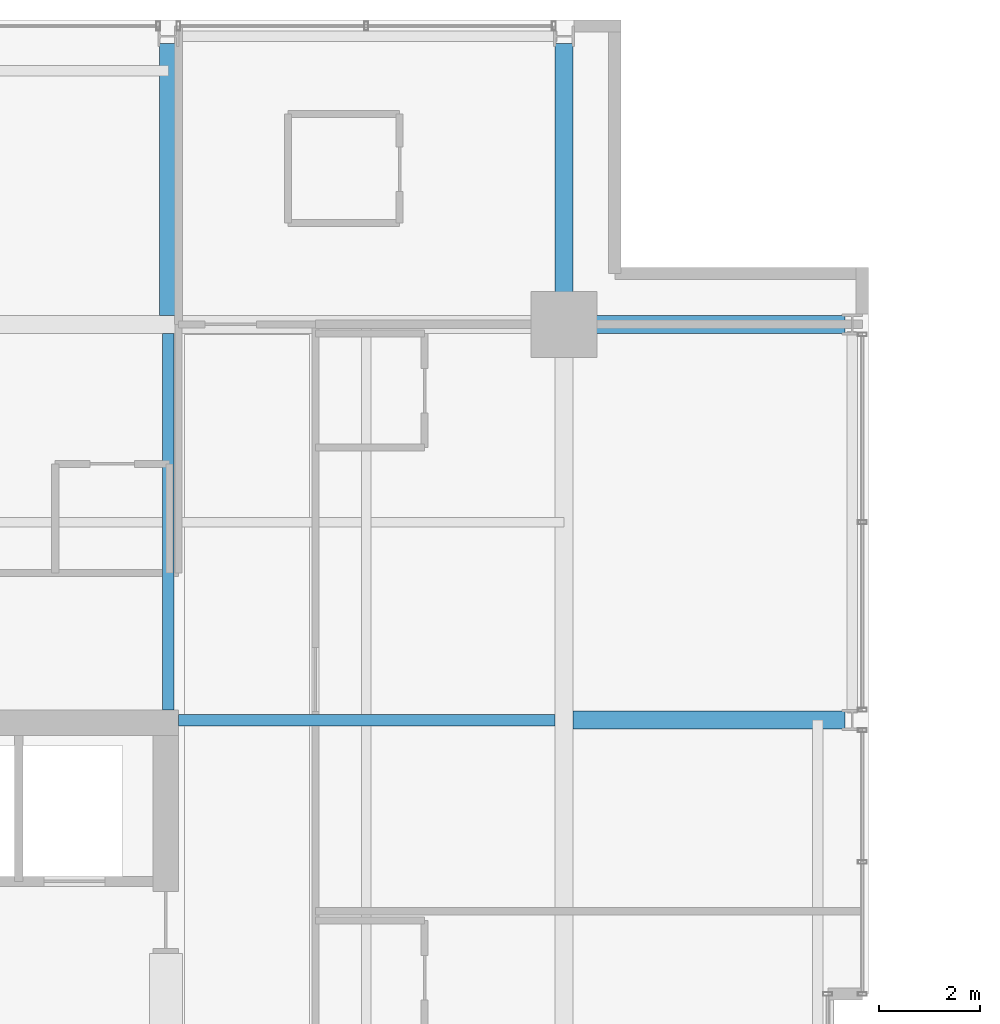
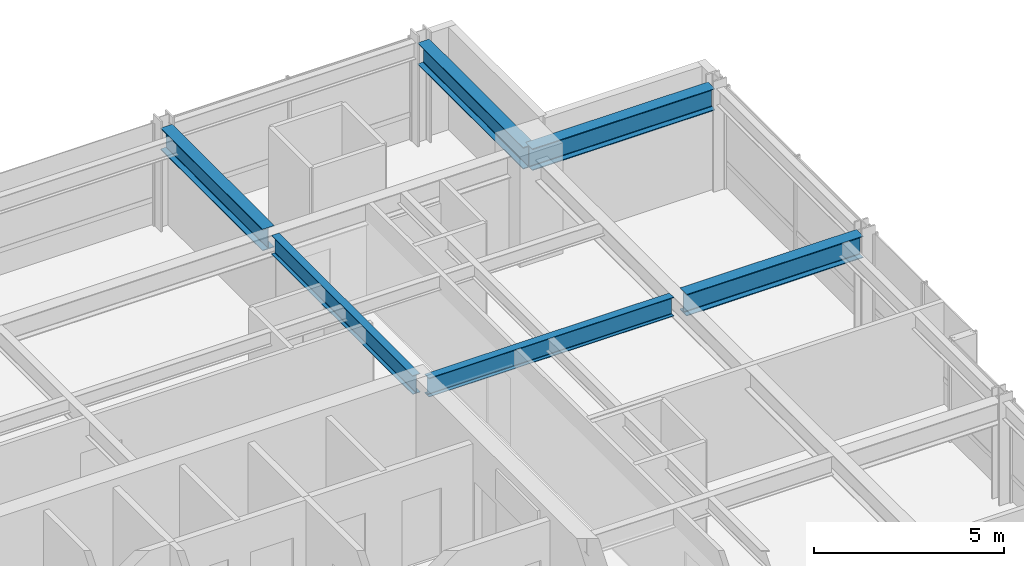
# One storey, part 23 of 33: 6 beams.
"""IFC4 building model written with IfcOpenShell, lengths in metres."""

from ifc_helpers import new_model, si_unit, direction, frame, origin, origin_2d, place, context, subcontext, project, spatial, i_section, extrude, material, material_profile, profile_set, type_object, element, save


model = new_model("IFC4")

# Units and contexts
model_context = context("Model", 3, precision=1e-05, world=origin(), true_north=direction((0.0, 1.0)))
body_context = subcontext(model_context, "Body", "Model", "MODEL_VIEW")
ifc_project = project(units=[si_unit("LENGTHUNIT", "METRE"), si_unit("AREAUNIT", "SQUARE_METRE"), si_unit("VOLUMEUNIT", "CUBIC_METRE"), si_unit("PLANEANGLEUNIT", "RADIAN"), si_unit("MASSUNIT", "GRAM", prefix="KILO")], contexts=[model_context])

# Site, building, storey
site_placement = place(None, origin())
site = spatial("IfcSite", under=ifc_project, at=site_placement, CompositionType="ELEMENT")
building_placement = place(site_placement, origin())
building = spatial("IfcBuilding", under=site, at=building_placement, Name="Drelvath Grand Hotel", CompositionType="ELEMENT")
storey_placement = place(building_placement, frame((0.0, 0.0, 168.14990234375)))
storey = spatial("IfcBuildingStorey", under=building, at=storey_placement, Name="L43", CompositionType="ELEMENT", Elevation=168.14990234375)

# Beams
ifc_material = material(Name="Steel ASTM A992 Gr 50", Category="steel")
ifc_material_profile_1 = material_profile(ifc_material, i_section(OverallWidth=0.228271484375, OverallDepth=0.607666015625, WebThickness=0.01123046875, FlangeThickness=0.017333984375, FilletRadius=0.02001953125, at=origin_2d()), Name="W24X76")
ifc_profile_set_1 = profile_set([ifc_material_profile_1], Name="Steel ASTM A992 Gr 50")
beam_type_1 = type_object("IfcBeamType", Name="Primary Floor Girder W24X76", PredefinedType="BEAM", material=ifc_profile_set_1)
for number, where, z_axis, x_axis, name in (
    (1, (8.60009765625, 35.39990234375, 2.986328125), (1.0, 0.0, 0.0), (0.0, 1.0, 0.0), "L43 East Core Tie F"),
    (2, (8.39990234375, 35.60009765625, 2.986328125), (0.0, 1.0, 0.0), (-1.0, 0.0, 0.0), "L43 North Core Tie 6"),
):
    element("IfcBeam", number, at=place(storey_placement, frame(where, z_axis=z_axis, x_axis=x_axis)), inside=storey, type_object=beam_type_1, Name=name, PredefinedType="BEAM", context=body_context, shape_type="SweptSolid", body=[
        extrude(i_section(OverallWidth=0.228271484375, OverallDepth=0.607666015625, WebThickness=0.01123046875, FlangeThickness=0.017333984375, FilletRadius=0.02001953125, at=origin_2d()), origin(), (0.0, 0.0, 1.0), 7.422607421875),
    ])
ifc_material_profile_2 = material_profile(ifc_material, i_section(OverallWidth=0.354736328125, OverallDepth=0.695556640625, WebThickness=0.015380859375, FlangeThickness=0.025146484375, FilletRadius=0.02392578125, at=origin_2d()), Name="W27X146")
ifc_profile_set_2 = profile_set([ifc_material_profile_2], Name="Steel ASTM A992 Gr 50")
beam_type_2 = type_object("IfcBeamType", Name="Primary Floor Girder W27X146", PredefinedType="BEAM", material=ifc_profile_set_2)
beam_1_placement = place(storey_placement, frame((16.199951171875, 43.199951171875, 2.9423828125), z_axis=(1.0, 0.0, 0.0), x_axis=(0.0, 1.0, 0.0)))
element("IfcBeam", 3, at=beam_1_placement, inside=storey, type_object=beam_type_2, Name="L43 East Grid Girder G", PredefinedType="BEAM", context=body_context, shape_type="SweptSolid", body=[
    extrude(i_section(OverallWidth=0.354736328125, OverallDepth=0.695556640625, WebThickness=0.015380859375, FlangeThickness=0.025146484375, FilletRadius=0.02392578125, at=origin_2d()), origin(), (0.0, 0.0, 1.0), 5.5400390625),
])
beam_2_placement = place(storey_placement, frame((16.37744140625, 35.39990234375, 2.9423828125), z_axis=(1.0, 0.0, 0.0), x_axis=(0.0, 1.0, 0.0)))
element("IfcBeam", 4, at=beam_2_placement, inside=storey, type_object=beam_type_2, Name="L43 East Wing Girder F", PredefinedType="BEAM", context=body_context, shape_type="SweptSolid", body=[
    extrude(i_section(OverallWidth=0.354736328125, OverallDepth=0.695556640625, WebThickness=0.015380859375, FlangeThickness=0.025146484375, FilletRadius=0.02392578125, at=origin_2d()), origin(), (0.0, 0.0, 1.0), 5.362548828125),
])
beam_3_placement = place(storey_placement, frame((16.199951171875, 43.199951171875, 2.9423828125), z_axis=(0.0, 1.0, 0.0), x_axis=(-1.0, 0.0, 0.0)))
element("IfcBeam", 5, at=beam_3_placement, inside=storey, type_object=beam_type_2, Name="L43 North Grid Girder 7", PredefinedType="BEAM", context=body_context, shape_type="SweptSolid", body=[
    extrude(i_section(OverallWidth=0.354736328125, OverallDepth=0.695556640625, WebThickness=0.015380859375, FlangeThickness=0.025146484375, FilletRadius=0.02392578125, at=origin_2d()), origin(), (0.0, 0.0, 1.0), 5.5400390625),
])
beam_4_placement = place(storey_placement, frame((8.39990234375, 43.37744140625, 2.9423828125), z_axis=(0.0, 1.0, 0.0), x_axis=(-1.0, 0.0, 0.0)))
element("IfcBeam", 6, at=beam_4_placement, inside=storey, type_object=beam_type_2, Name="L43 North Wing Girder 6", PredefinedType="BEAM", context=body_context, shape_type="SweptSolid", body=[
    extrude(i_section(OverallWidth=0.354736328125, OverallDepth=0.695556640625, WebThickness=0.015380859375, FlangeThickness=0.025146484375, FilletRadius=0.02392578125, at=origin_2d()), origin(), (0.0, 0.0, 1.0), 5.362548828125),
])

save(model, "model.ifc")
